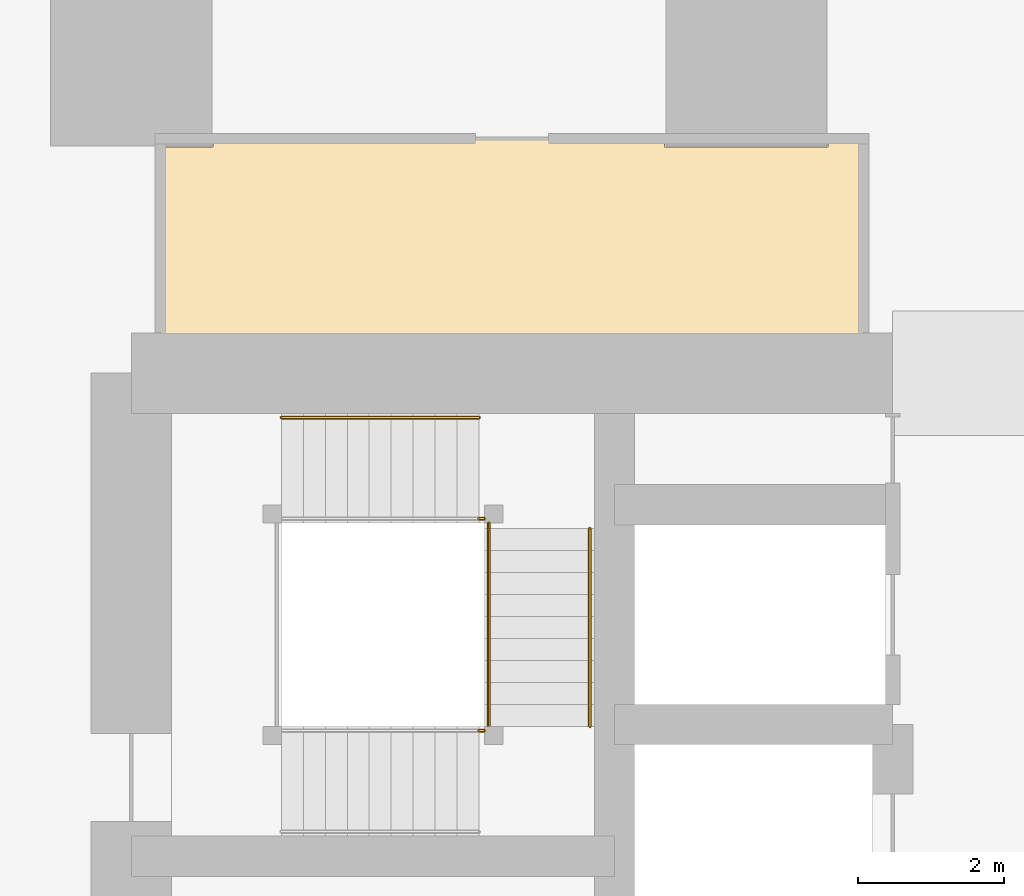
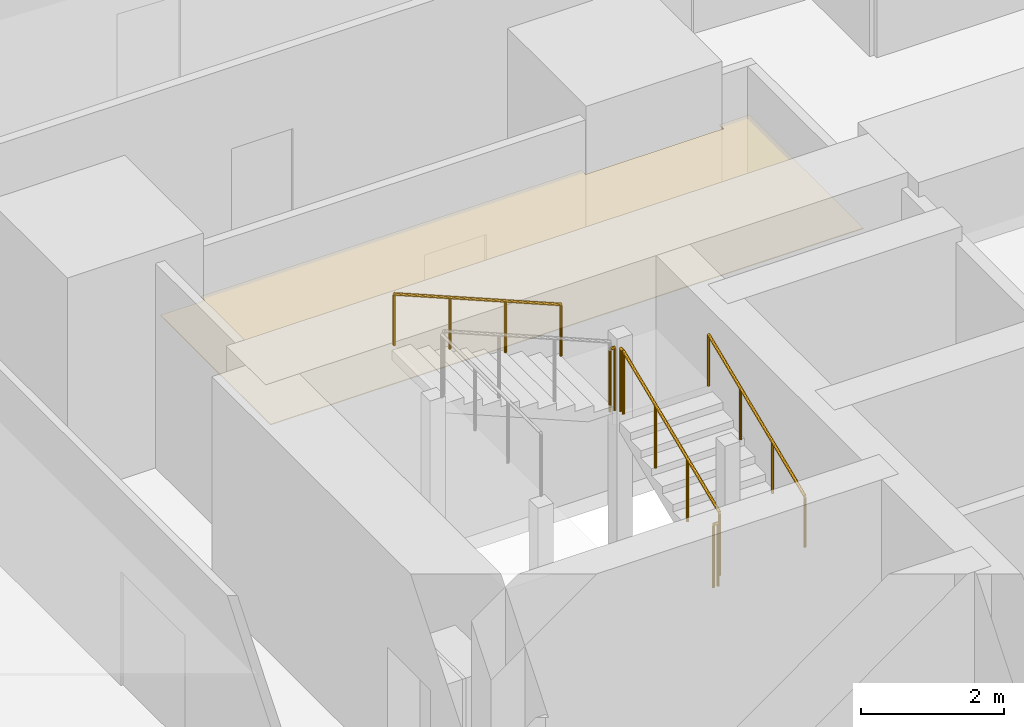
# One storey, part 39 of 42: 6 railings, 1 covering.
"""IFC4 building model written with IfcOpenShell, lengths in metres."""

from ifc_helpers import new_model, si_unit, direction, frame, origin, origin_2d, place, context, subcontext, project, spatial, polyline, circle, outline, extrude, material, layer, layer_set, type_object, element, save


model = new_model("IFC4")

# Units and contexts
model_context = context("Model", 3, precision=1e-05, world=origin(), true_north=direction((0.0, 1.0)))
body_context = subcontext(model_context, "Body", "Model", "MODEL_VIEW")
ifc_project = project(units=[si_unit("LENGTHUNIT", "METRE"), si_unit("AREAUNIT", "SQUARE_METRE"), si_unit("VOLUMEUNIT", "CUBIC_METRE"), si_unit("PLANEANGLEUNIT", "RADIAN"), si_unit("MASSUNIT", "GRAM", prefix="KILO")], contexts=[model_context])

# Site, building, storey
site_placement = place(None, origin())
site = spatial("IfcSite", under=ifc_project, at=site_placement, CompositionType="ELEMENT")
building_placement = place(site_placement, origin())
building = spatial("IfcBuilding", under=site, at=building_placement, Name="Rekha Terrace Tower", CompositionType="ELEMENT")
storey_placement = place(building_placement, frame((0.0, 0.0, 70.39990234375)))
storey = spatial("IfcBuildingStorey", under=building, at=storey_placement, Name="L17", CompositionType="ELEMENT", Elevation=70.39990234375)

# Covering
ifc_material_1 = material(Name="Fibre cement board", Category="finish")
ifc_layer = layer(ifc_material_1, 0.014892578125)
ifc_layer_set = layer_set([ifc_layer], Name="Fibre cement board")
covering_type = type_object("IfcCoveringType", Name="CL2 moisture-resistant board ceiling", PredefinedType="CEILING", material=ifc_layer_set)
covering_placement = place(storey_placement, frame((0.0, 0.0, 2.585205078125)))
element("IfcCovering", 1, at=covering_placement, inside=storey, type_object=covering_type, Name="Ceiling L17-WCF2", PredefinedType="CEILING", context=body_context, shape_type="SweptSolid", body=[
    extrude(outline(polyline([(26.31494140625, 49.284912109375), (25.60009765625, 49.284912109375), (25.60009765625, 46.199951171875), (35.199951171875, 46.199951171875), (35.199951171875, 49.39990234375), (34.715087890625, 49.39990234375), (34.715087890625, 49.284912109375), (32.485107421875, 49.284912109375), (32.485107421875, 49.39990234375), (26.31494140625, 49.39990234375), (26.31494140625, 49.284912109375)])), origin(), (0.0, 0.0, 1.0), 0.014892578125),
])

# Railings
ifc_material_2 = material(Name="Stainless steel balustrade", Category="steel")
railing_type_1 = type_object("IfcRailingType", Name="GR1 1100 stair guard", PredefinedType="GUARDRAIL", material=ifc_material_2)
railing_1_placement = place(storey_placement, frame((30.0849609375, 41.375, 1.375)))
element("IfcRailing", 2, at=railing_1_placement, inside=storey, type_object=railing_type_1, Name="Guard ST4 L17 flight 2", PredefinedType="GUARDRAIL", context=body_context, shape_type="SweptSolid", body=[
    extrude(circle(Radius=0.02392578125, at=origin_2d()), frame((0.0, 0.0, 1.076171875), z_axis=(0.0, 0.923074453586, 0.384621311341), x_axis=(-1.0, 0.0, 0.0)), (0.0, 0.0, 1.0), 2.925048828125),
    extrude(circle(Radius=0.02099609375, at=origin_2d()), origin(), (0.0, 0.0, 1.0), 1.052001953125),
    extrude(circle(Radius=0.02099609375, at=origin_2d()), frame((0.0, 0.89990234375, 0.375)), (0.0, 0.0, 1.0), 1.052001953125),
    extrude(circle(Radius=0.02099609375, at=origin_2d()), frame((0.0, 1.800048828125, 0.75)), (0.0, 0.0, 1.0), 1.052001953125),
    extrude(circle(Radius=0.02099609375, at=origin_2d()), frame((0.0, 2.699951171875, 1.125)), (0.0, 0.0, 1.0), 1.052001953125),
])
railing_2_placement = place(storey_placement, frame((29.949951171875, 41.31494140625, 1.25)))
element("IfcRailing", 3, at=railing_2_placement, inside=storey, type_object=railing_type_1, Name="Guard ST4 L17 landing 1", PredefinedType="GUARDRAIL", context=body_context, shape_type="SweptSolid", body=[
    extrude(circle(Radius=0.02392578125, at=origin_2d()), frame((0.0, 0.0, 1.076171875), z_axis=(1.0, 0.0, 0.0), x_axis=(0.0, 1.0, 0.0)), (0.0, 0.0, 1.0), 0.074951171875),
    extrude(circle(Radius=0.02099609375, at=origin_2d()), origin(), (0.0, 0.0, 1.0), 1.052001953125),
    extrude(circle(Radius=0.02099609375, at=origin_2d()), frame((0.074951171875, 0.0, 0.0)), (0.0, 0.0, 1.0), 1.052001953125),
])
railing_3_placement = place(storey_placement, frame((30.0849609375, 44.074951171875, 2.5)))
element("IfcRailing", 4, at=railing_3_placement, inside=storey, type_object=railing_type_1, Name="Guard ST4 L17 landing 2", PredefinedType="GUARDRAIL", context=body_context, shape_type="SweptSolid", body=[
    extrude(circle(Radius=0.02392578125, at=origin_2d()), frame((0.0, 0.0, 1.076171875), z_axis=(0.0, 1.0, 0.0), x_axis=(-1.0, 0.0, 0.0)), (0.0, 0.0, 1.0), 0.074951171875),
    extrude(circle(Radius=0.02099609375, at=origin_2d()), origin(), (0.0, 0.0, 1.0), 1.052001953125),
    extrude(circle(Radius=0.02099609375, at=origin_2d()), frame((0.0, 0.074951171875, 0.0)), (0.0, 0.0, 1.0), 1.052001953125),
])
railing_4_placement = place(storey_placement, frame((29.949951171875, 44.2099609375, 2.5)))
element("IfcRailing", 5, at=railing_4_placement, inside=storey, type_object=railing_type_1, Name="Guard ST4 L17 landing 3", PredefinedType="GUARDRAIL", context=body_context, shape_type="SweptSolid", body=[
    extrude(circle(Radius=0.02392578125, at=origin_2d()), frame((0.0, 0.0, 1.076171875), z_axis=(1.0, 0.0, 0.0), x_axis=(0.0, 1.0, 0.0)), (0.0, 0.0, 1.0), 0.074951171875),
    extrude(circle(Radius=0.02099609375, at=origin_2d()), origin(), (0.0, 0.0, 1.0), 1.052001953125),
    extrude(circle(Radius=0.02099609375, at=origin_2d()), frame((0.074951171875, 0.0, 0.0)), (0.0, 0.0, 1.0), 1.052001953125),
])
ifc_material_3 = material(Name="Stainless steel tube", Category="steel")
railing_type_2 = type_object("IfcRailingType", Name="HR1 900 stair handrail", PredefinedType="HANDRAIL", material=ifc_material_3)
railing_5_placement = place(storey_placement, frame((31.465087890625, 41.375, 1.375)))
element("IfcRailing", 6, at=railing_5_placement, inside=storey, type_object=railing_type_2, Name="Handrail ST4 L17 flight 2", PredefinedType="HANDRAIL", context=body_context, shape_type="SweptSolid", body=[
    extrude(circle(Radius=0.02392578125, at=origin_2d()), frame((0.0, 0.0, 0.8759765625), z_axis=(0.0, 0.923074453586, 0.384621311341), x_axis=(-1.0, 0.0, 0.0)), (0.0, 0.0, 1.0), 2.925048828125),
    extrude(circle(Radius=0.02099609375, at=origin_2d()), origin(), (0.0, 0.0, 1.0), 0.851806640625),
    extrude(circle(Radius=0.02099609375, at=origin_2d()), frame((0.0, 0.89990234375, 0.375)), (0.0, 0.0, 1.0), 0.851806640625),
    extrude(circle(Radius=0.02099609375, at=origin_2d()), frame((0.0, 1.800048828125, 0.75)), (0.0, 0.0, 1.0), 0.851806640625),
    extrude(circle(Radius=0.02099609375, at=origin_2d()), frame((0.0, 2.699951171875, 1.125)), (0.0, 0.0, 1.0), 0.851806640625),
])
railing_6_placement = place(storey_placement, frame((29.949951171875, 45.590087890625, 2.625)))
element("IfcRailing", 7, at=railing_6_placement, inside=storey, type_object=railing_type_2, Name="Handrail ST4 L17 flight 3", PredefinedType="HANDRAIL", context=body_context, shape_type="SweptSolid", body=[
    extrude(circle(Radius=0.02392578125, at=origin_2d()), frame((0.0, 0.0, 0.8759765625), z_axis=(-0.923074453586, 0.0, 0.384621311341), x_axis=(0.0, -1.0, 0.0)), (0.0, 0.0, 1.0), 2.925048828125),
    extrude(circle(Radius=0.02099609375, at=origin_2d()), origin(), (0.0, 0.0, 1.0), 0.851806640625),
    extrude(circle(Radius=0.02099609375, at=origin_2d()), frame((-0.89990234375, 0.0, 0.375)), (0.0, 0.0, 1.0), 0.851806640625),
    extrude(circle(Radius=0.02099609375, at=origin_2d()), frame((-1.800048828125, 0.0, 0.75)), (0.0, 0.0, 1.0), 0.851806640625),
    extrude(circle(Radius=0.02099609375, at=origin_2d()), frame((-2.699951171875, 0.0, 1.125)), (0.0, 0.0, 1.0), 0.851806640625),
])

save(model, "model.ifc")
